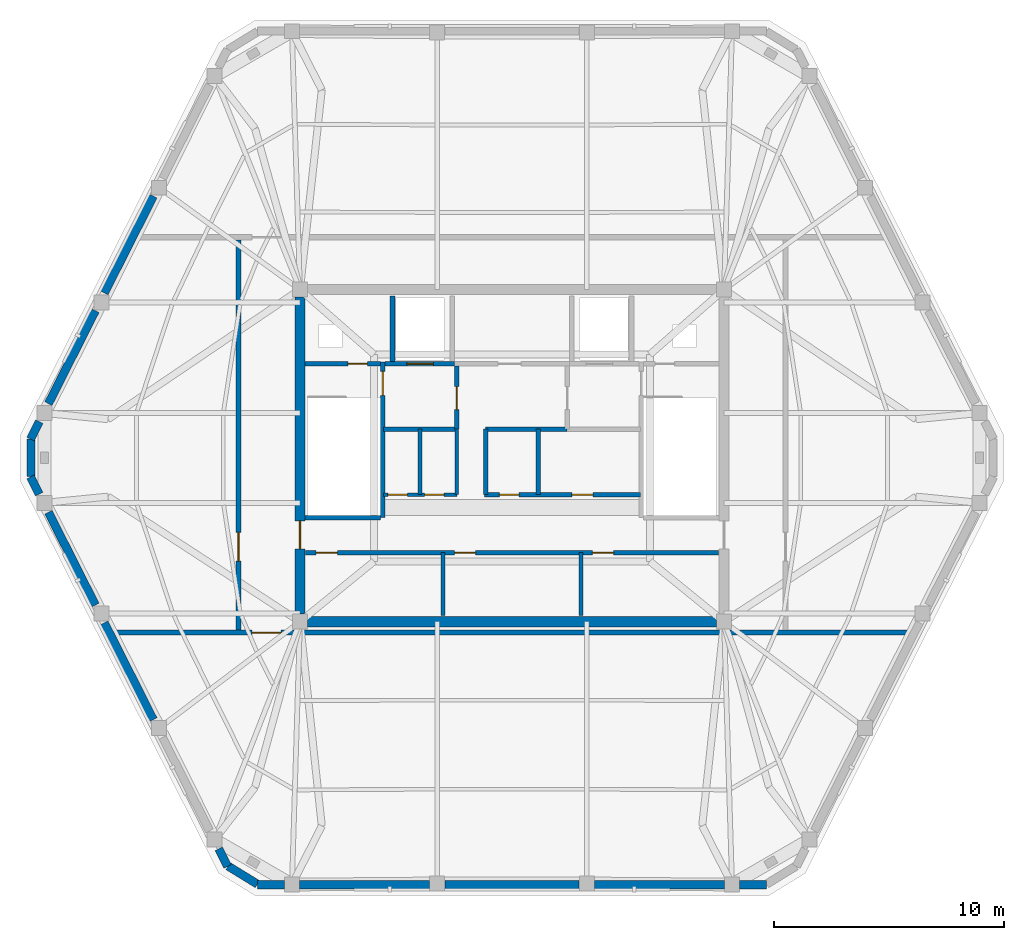
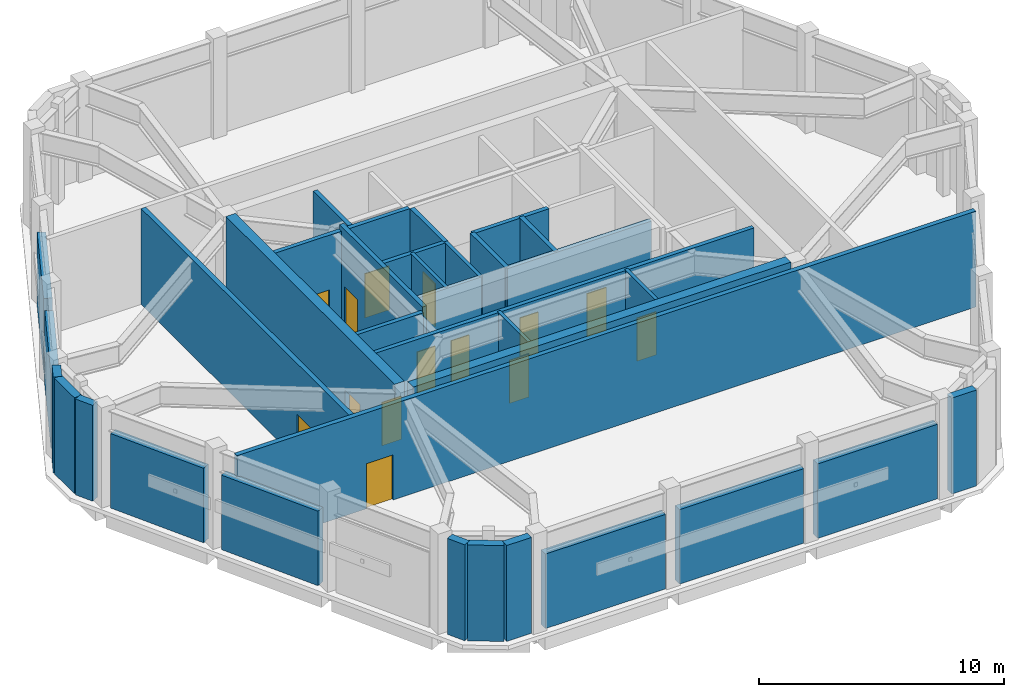
# One storey, part 4 of 6: 35 walls, 14 doors, 14 openings.
"""IFC4 building model written with IfcOpenShell, lengths in metres."""

from ifc_helpers import new_model, si_unit, direction, frame, frame_2d, origin, place, context, subcontext, project, spatial, rectangle, extrude, material, layer, layer_set, type_object, element, fill, save


model = new_model("IFC4")

# Units and contexts
model_context = context("Model", 3, precision=1e-05, world=origin(), true_north=direction((0.0, 1.0)))
body_context = subcontext(model_context, "Body", "Model", "MODEL_VIEW")
ifc_project = project(units=[si_unit("LENGTHUNIT", "METRE"), si_unit("AREAUNIT", "SQUARE_METRE"), si_unit("VOLUMEUNIT", "CUBIC_METRE"), si_unit("PLANEANGLEUNIT", "RADIAN"), si_unit("MASSUNIT", "GRAM", prefix="KILO")], contexts=[model_context])

# Site, building, storey
site_placement = place(None, origin())
site = spatial("IfcSite", under=ifc_project, at=site_placement, CompositionType="ELEMENT")
building_placement = place(site_placement, origin())
building = spatial("IfcBuilding", under=site, at=building_placement, Name="Cinnabar Lancet Tower", CompositionType="ELEMENT")
storey_placement = place(building_placement, frame((0.0, 0.0, 300.5)))
storey = spatial("IfcBuildingStorey", under=building, at=storey_placement, Name="L79", CompositionType="ELEMENT", Elevation=300.5)

# Wall, openings, doors
ifc_material_1 = material(Name="Acoustic twin-stud gypsum partition", Category="gypsum")
ifc_layer_1 = layer(ifc_material_1, 0.159912109375)
ifc_layer_set_1 = layer_set([ifc_layer_1], Name="Acoustic twin-stud gypsum partition")
wall_type_1 = type_object("IfcWallType", Name="ARC-WL-CORR-160", PredefinedType="PARTITIONING", material=ifc_layer_set_1)
wall_1_placement = place(storey_placement, frame((26.800048828125, 24.199951171875, 0.0), z_axis=(0.0, 0.0, 1.0), x_axis=(1.0, 0.0, 0.0)))
wall_1 = element("IfcWall", 1, at=wall_1_placement, inside=storey, type_object=wall_type_1, Name="CW-REC5S-L79", PredefinedType="PARTITIONING", context=body_context, shape_type="SweptSolid", body=[
    extrude(rectangle(XDim=3.199951171875, YDim=0.159912109375, at=frame_2d((1.60009765625, 0.0))), origin(), (0.0, 0.0, 1.0), 4.780029296875),
])
opening_1_placement = place(wall_1_placement, frame((0.199951171875, 0.0, 0.0)))
opening_1 = element("IfcOpeningElement", 2, at=opening_1_placement, cuts=wall_1, Name="Opening PD-02", PredefinedType="OPENING", context=body_context, shape_type="SweptSolid", body=[
    extrude(rectangle(XDim=0.85009765625, YDim=2.050048828125, at=frame_2d((0.425048828125, 1.02490234375))), frame((0.0, 0.08984375, 0.0), z_axis=(0.0, -1.0, 0.0), x_axis=(1.0, 0.0, 0.0)), (0.0, 0.0, 1.0), 0.179931640625),
])
opening_2_placement = place(wall_1_placement, frame((1.800048828125, 0.0, 0.0)))
opening_2 = element("IfcOpeningElement", 3, at=opening_2_placement, cuts=wall_1, Name="Opening PD-02", PredefinedType="OPENING", context=body_context, shape_type="SweptSolid", body=[
    extrude(rectangle(XDim=0.85009765625, YDim=2.050048828125, at=frame_2d((0.425048828125, 1.02490234375))), frame((0.0, 0.08984375, 0.0), z_axis=(0.0, -1.0, 0.0), x_axis=(1.0, 0.0, 0.0)), (0.0, 0.0, 1.0), 0.179931640625),
])
ifc_material_2 = material(Name="Fire-rated steel riser access door", Category="steel")
door_type_1 = type_object("IfcDoorType", Name="ARC-DR-RISER", OperationType="NOTDEFINED", PredefinedType="DOOR", material=ifc_material_2)
door_1_placement = place(opening_1_placement, origin())
door_1 = element("IfcDoor", 4, at=door_1_placement, inside=storey, type_object=door_type_1, Name="DR-L79-REC5A", OperationType="SINGLE_SWING_LEFT", OverallHeight=2.050048828125, OverallWidth=0.85009765625, PredefinedType="DOOR", context=body_context, shape_type="SweptSolid", body=[
    extrude(rectangle(XDim=0.85009765625, YDim=2.050048828125, at=frame_2d((0.425048828125, 1.02490234375))), frame((0.0, 0.02490234375, 0.0), z_axis=(0.0, -1.0, 0.0), x_axis=(1.0, 0.0, 0.0)), (0.0, 0.0, 1.0), 0.050048828125),
])
fill(opening_1, door_1)
door_2_placement = place(opening_2_placement, origin())
door_2 = element("IfcDoor", 5, at=door_2_placement, inside=storey, type_object=door_type_1, Name="DR-L79-REC5B", OperationType="SINGLE_SWING_RIGHT", OverallHeight=2.050048828125, OverallWidth=0.85009765625, PredefinedType="DOOR", context=body_context, shape_type="SweptSolid", body=[
    extrude(rectangle(XDim=0.85009765625, YDim=2.050048828125, at=frame_2d((0.425048828125, 1.02490234375))), frame((0.0, 0.02490234375, 0.0), z_axis=(0.0, -1.0, 0.0), x_axis=(1.0, 0.0, 0.0)), (0.0, 0.0, 1.0), 0.050048828125),
])
fill(opening_2, door_2)

# Walls
for number, where, z_axis, x_axis, name in (
    (6, (30.0, 24.199951171875, 0.0), (0.0, 0.0, 1.0), (0.0, 1.0, 0.0), "CW-REC5E-L79"),
    (7, (28.39990234375, 24.199951171875, 0.0), (0.0, 0.0, 1.0), (0.0, 1.0, 0.0), "CW-REC5D-L79"),
):
    element("IfcWall", number, at=place(storey_placement, frame(where, z_axis=z_axis, x_axis=x_axis)), inside=storey, type_object=wall_type_1, Name=name, PredefinedType="PARTITIONING", context=body_context, shape_type="SweptSolid", body=[
        extrude(rectangle(XDim=2.85009765625, YDim=0.159912109375, at=frame_2d((1.425048828125, 0.0))), origin(), (0.0, 0.0, 1.0), 4.780029296875),
    ])
for number, where, z_axis, x_axis, name in (
    (8, (29.39990234375, 18.949951171875, 0.0), (0.0, 0.0, 1.0), (0.0, 1.0, 0.0), "CW-SB-2940-L79"),
    (9, (35.39990234375, 18.949951171875, 0.0), (0.0, 0.0, 1.0), (0.0, 1.0, 0.0), "CW-SB-3540-L79"),
):
    element("IfcWall", number, at=place(storey_placement, frame(where, z_axis=z_axis, x_axis=x_axis)), inside=storey, type_object=wall_type_1, Name=name, PredefinedType="PARTITIONING", context=body_context, shape_type="SweptSolid", body=[
        extrude(rectangle(XDim=2.72998046875, YDim=0.159912109375, at=frame_2d((1.364990234375, 0.0))), origin(), (0.0, 0.0, 1.0), 4.780029296875),
    ])

# Wall, opening, door
ifc_material_3 = material(Name="Acoustic masonry plant room wall", Category="masonry")
ifc_layer_2 = layer(ifc_material_3, 0.219970703125)
ifc_layer_set_2 = layer_set([ifc_layer_2], Name="Acoustic masonry plant room wall")
wall_type_2 = type_object("IfcWallType", Name="ARC-WL-PLANT-220", PredefinedType="PARTITIONING", material=ifc_layer_set_2)
wall_2_placement = place(storey_placement, frame((14.989013671875, 18.199951171875, 0.0), z_axis=(0.0, 0.0, 1.0), x_axis=(1.0, 0.0, 0.0)))
wall_2 = element("IfcWall", 10, at=wall_2_placement, inside=storey, type_object=wall_type_2, Name="PW-L79-PS", PredefinedType="PARTITIONING", context=body_context, shape_type="SweptSolid", body=[
    extrude(rectangle(XDim=34.822021484375, YDim=0.219970703125, at=frame_2d((17.4111328125, 0.0))), origin(), (0.0, 0.0, 1.0), 4.780029296875),
])
opening_3_placement = place(wall_2_placement, frame((6.111083984375, 0.0, 0.0)))
opening_3 = element("IfcOpeningElement", 11, at=opening_3_placement, cuts=wall_2, Name="Opening PD-01", PredefinedType="OPENING", context=body_context, shape_type="SweptSolid", body=[
    extrude(rectangle(XDim=1.25, YDim=2.25, at=frame_2d((0.625, 1.125))), frame((0.0, 0.119873046875, 0.0), z_axis=(0.0, -1.0, 0.0), x_axis=(1.0, 0.0, 0.0)), (0.0, 0.0, 1.0), 0.239990234375),
])
ifc_material_4 = material(Name="Louvred fire-rated steel plant room double door", Category="steel")
door_type_2 = type_object("IfcDoorType", Name="ARC-DR-PLANT", OperationType="NOTDEFINED", PredefinedType="DOOR", material=ifc_material_4)
door_3_placement = place(opening_3_placement, origin())
door_3 = element("IfcDoor", 12, at=door_3_placement, inside=storey, type_object=door_type_2, Name="DR-L79-PLS", OperationType="SINGLE_SWING_LEFT", OverallHeight=2.25, OverallWidth=1.25, PredefinedType="DOOR", context=body_context, shape_type="SweptSolid", body=[
    extrude(rectangle(XDim=1.25, YDim=2.25, at=frame_2d((0.625, 1.125))), frame((0.0, 0.02490234375, 0.0), z_axis=(0.0, -1.0, 0.0), x_axis=(1.0, 0.0, 0.0)), (0.0, 0.0, 1.0), 0.050048828125),
])
fill(opening_3, door_3)

wall_3_placement = place(storey_placement, frame((20.5, 18.31494140625, 0.0), z_axis=(0.0, 0.0, 1.0), x_axis=(0.0, 1.0, 0.0)))
wall_3 = element("IfcWall", 13, at=wall_3_placement, inside=storey, type_object=wall_type_2, Name="PW-L79-PW", PredefinedType="PARTITIONING", context=body_context, shape_type="SweptSolid", body=[
    extrude(rectangle(XDim=16.969970703125, YDim=0.219970703125, at=frame_2d((8.48486328125, 0.0))), origin(), (0.0, 0.0, 1.0), 4.780029296875),
])
opening_4_placement = place(wall_3_placement, frame((3.0, 0.0, 0.0)))
opening_4 = element("IfcOpeningElement", 14, at=opening_4_placement, cuts=wall_3, Name="Opening PD-01", PredefinedType="OPENING", context=body_context, shape_type="SweptSolid", body=[
    extrude(rectangle(XDim=1.25, YDim=2.25, at=frame_2d((0.625, 1.125))), frame((0.0, 0.119873046875, 0.0), z_axis=(0.0, -1.0, 0.0), x_axis=(1.0, 0.0, 0.0)), (0.0, 0.0, 1.0), 0.239990234375),
])
door_4_placement = place(opening_4_placement, origin())
door_4 = element("IfcDoor", 15, at=door_4_placement, inside=storey, type_object=door_type_2, Name="DR-L79-PLW", OperationType="SINGLE_SWING_LEFT", OverallHeight=2.25, OverallWidth=1.25, PredefinedType="DOOR", context=body_context, shape_type="SweptSolid", body=[
    extrude(rectangle(XDim=1.25, YDim=2.25, at=frame_2d((0.625, 1.125))), frame((0.0, 0.02490234375, 0.0), z_axis=(0.0, -1.0, 0.0), x_axis=(1.0, 0.0, 0.0)), (0.0, 0.0, 1.0), 0.050048828125),
])
fill(opening_4, door_4)

# Wall
ifc_material_5 = material(Name="Autoclaved aerated concrete blockwork", Category="masonry")
ifc_layer_3 = layer(ifc_material_5, 0.199951171875)
ifc_layer_set_3 = layer_set([ifc_layer_3], Name="Autoclaved aerated concrete blockwork")
wall_type_3 = type_object("IfcWallType", Name="ARC-WL-SHAFT-200", PredefinedType="PLUMBINGWALL", material=ifc_layer_set_3)
wall_4_placement = place(storey_placement, frame((23.405029296875, 23.199951171875, 0.0), z_axis=(0.0, 0.0, 1.0), x_axis=(1.0, 0.0, 0.0)))
element("IfcWall", 16, at=wall_4_placement, inside=storey, type_object=wall_type_3, Name="CW-ST1S-L79", PredefinedType="PLUMBINGWALL", context=body_context, shape_type="SweptSolid", body=[
    extrude(rectangle(XDim=3.27001953125, YDim=0.199951171875, at=frame_2d((1.635009765625, 0.0))), origin(), (0.0, 0.0, 1.0), 4.780029296875),
])

# Wall, opening, door
wall_5_placement = place(storey_placement, frame((23.405029296875, 29.89990234375, 0.0), z_axis=(0.0, 0.0, 1.0), x_axis=(1.0, 0.0, 0.0)))
wall_5 = element("IfcWall", 17, at=wall_5_placement, inside=storey, type_object=wall_type_3, Name="CW-NSH-W-L79", PredefinedType="PLUMBINGWALL", context=body_context, shape_type="SweptSolid", body=[
    extrude(rectangle(XDim=3.27001953125, YDim=0.199951171875, at=frame_2d((1.635009765625, 0.0))), origin(), (0.0, 0.0, 1.0), 4.780029296875),
])
opening_5_placement = place(wall_5_placement, frame((1.85009765625, 0.0, 0.0)))
opening_5 = element("IfcOpeningElement", 18, at=opening_5_placement, cuts=wall_5, Name="Opening PD-02", PredefinedType="OPENING", context=body_context, shape_type="SweptSolid", body=[
    extrude(rectangle(XDim=0.85009765625, YDim=2.050048828125, at=frame_2d((0.425048828125, 1.02490234375))), frame((0.0, 0.10986328125, 0.0), z_axis=(0.0, -1.0, 0.0), x_axis=(1.0, 0.0, 0.0)), (0.0, 0.0, 1.0), 0.219970703125),
])
door_5_placement = place(opening_5_placement, origin())
door_5 = element("IfcDoor", 19, at=door_5_placement, inside=storey, type_object=door_type_1, Name="L79 West Riser Access Door", OperationType="SINGLE_SWING_LEFT", OverallHeight=2.050048828125, OverallWidth=0.85009765625, PredefinedType="DOOR", context=body_context, shape_type="SweptSolid", body=[
    extrude(rectangle(XDim=0.85009765625, YDim=2.050048828125, at=frame_2d((0.425048828125, 1.02490234375))), frame((0.0, 0.02490234375, 0.0), z_axis=(0.0, -1.0, 0.0), x_axis=(1.0, 0.0, 0.0)), (0.0, 0.0, 1.0), 0.050048828125),
])
fill(opening_5, door_5)

wall_6_placement = place(storey_placement, frame((26.885009765625, 29.89990234375, 0.0), z_axis=(0.0, 0.0, 1.0), x_axis=(1.0, 0.0, 0.0)))
wall_6 = element("IfcWall", 20, at=wall_6_placement, inside=storey, type_object=wall_type_3, Name="CW-FL1-L79", PredefinedType="PLUMBINGWALL", context=body_context, shape_type="SweptSolid", body=[
    extrude(rectangle(XDim=3.014892578125, YDim=0.199951171875, at=frame_2d((1.50732421875, 0.0))), origin(), (0.0, 0.0, 1.0), 4.780029296875),
])
opening_6_placement = place(wall_6_placement, frame((0.93994140625, 0.0, 0.0)))
opening_6 = element("IfcOpeningElement", 21, at=opening_6_placement, cuts=wall_6, Name="Opening LD-02", PredefinedType="OPENING", context=body_context, shape_type="SweptSolid", body=[
    extrude(rectangle(XDim=1.14990234375, YDim=2.199951171875, at=frame_2d((0.574951171875, 1.10009765625))), frame((0.0, 0.10986328125, 0.0), z_axis=(0.0, -1.0, 0.0), x_axis=(1.0, 0.0, 0.0)), (0.0, 0.0, 1.0), 0.219970703125),
])
ifc_material_6 = material(Name="Fire-rated stainless steel firefighting lift landing door", Category="steel")
door_type_3 = type_object("IfcDoorType", Name="ARC-DR-LD-FIRE", OperationType="NOTDEFINED", PredefinedType="DOOR", material=ifc_material_6)
door_6_placement = place(opening_6_placement, origin())
door_6 = element("IfcDoor", 22, at=door_6_placement, inside=storey, type_object=door_type_3, Name="L79 Firefighting Lift FL-1 Landing Door", OperationType="DOUBLE_DOOR_SLIDING", OverallHeight=2.199951171875, OverallWidth=1.14990234375, PredefinedType="DOOR", context=body_context, shape_type="SweptSolid", body=[
    extrude(rectangle(XDim=1.14990234375, YDim=2.199951171875, at=frame_2d((0.574951171875, 1.10009765625))), frame((0.0, 0.02490234375, 0.0), z_axis=(0.0, -1.0, 0.0), x_axis=(1.0, 0.0, 0.0)), (0.0, 0.0, 1.0), 0.050048828125),
])
fill(opening_6, door_6)

# Wall
wall_7_placement = place(storey_placement, frame((27.199951171875, 30.0, 0.0), z_axis=(0.0, 0.0, 1.0), x_axis=(0.0, 1.0, 0.0)))
element("IfcWall", 23, at=wall_7_placement, inside=storey, type_object=wall_type_3, Name="CW-NSH-D1-L79", PredefinedType="PLUMBINGWALL", context=body_context, shape_type="SweptSolid", body=[
    extrude(rectangle(XDim=2.85009765625, YDim=0.199951171875, at=frame_2d((1.425048828125, 0.0))), origin(), (0.0, 0.0, 1.0), 4.780029296875),
])

# Wall, opening, door
wall_8_placement = place(storey_placement, frame((30.0, 27.050048828125, 0.0), z_axis=(0.0, 0.0, 1.0), x_axis=(0.0, 1.0, 0.0)))
wall_8 = element("IfcWall", 24, at=wall_8_placement, inside=storey, type_object=wall_type_3, Name="CW-FF1E-L79", PredefinedType="PLUMBINGWALL", context=body_context, shape_type="SweptSolid", body=[
    extrude(rectangle(XDim=2.75, YDim=0.199951171875, at=frame_2d((1.375, 0.0))), origin(), (0.0, 0.0, 1.0), 4.780029296875),
])
opening_7_placement = place(wall_8_placement, frame((0.85009765625, 0.0, 0.0)))
opening_7 = element("IfcOpeningElement", 25, at=opening_7_placement, cuts=wall_8, Name="Opening FD-01", PredefinedType="OPENING", context=body_context, shape_type="SweptSolid", body=[
    extrude(rectangle(XDim=1.0, YDim=2.14990234375, at=frame_2d((0.5, 1.074951171875))), frame((0.0, 0.10986328125, 0.0), z_axis=(0.0, -1.0, 0.0), x_axis=(1.0, 0.0, 0.0)), (0.0, 0.0, 1.0), 0.219970703125),
])
ifc_material_7 = material(Name="Fire-rated timber-core lobby door", Category="wood")
door_type_4 = type_object("IfcDoorType", Name="ARC-DR-FFAL", OperationType="NOTDEFINED", PredefinedType="DOOR", material=ifc_material_7)
door_7_placement = place(opening_7_placement, origin())
door_7 = element("IfcDoor", 26, at=door_7_placement, inside=storey, type_object=door_type_4, Name="L79 FFAL-1 Lobby Fire Door", OperationType="SINGLE_SWING_RIGHT", OverallHeight=2.14990234375, OverallWidth=1.0, PredefinedType="DOOR", context=body_context, shape_type="SweptSolid", body=[
    extrude(rectangle(XDim=1.0, YDim=2.14990234375, at=frame_2d((0.5, 1.074951171875))), frame((0.0, 0.02490234375, 0.0), z_axis=(0.0, -1.0, 0.0), x_axis=(1.0, 0.0, 0.0)), (0.0, 0.0, 1.0), 0.050048828125),
])
fill(opening_7, door_7)

# Wall
wall_9_placement = place(storey_placement, frame((26.800048828125, 27.050048828125, 0.0), z_axis=(0.0, 0.0, 1.0), x_axis=(1.0, 0.0, 0.0)))
element("IfcWall", 27, at=wall_9_placement, inside=storey, type_object=wall_type_3, Name="CW-FF1S-L79", PredefinedType="PLUMBINGWALL", context=body_context, shape_type="SweptSolid", body=[
    extrude(rectangle(XDim=3.199951171875, YDim=0.199951171875, at=frame_2d((1.60009765625, 0.0))), origin(), (0.0, 0.0, 1.0), 4.780029296875),
])

# Wall, openings, doors
wall_10_placement = place(storey_placement, frame((31.199951171875, 24.199951171875, 0.0), z_axis=(0.0, 0.0, 1.0), x_axis=(1.0, 0.0, 0.0)))
wall_10 = element("IfcWall", 28, at=wall_10_placement, inside=storey, type_object=wall_type_3, Name="CW-PL96S-L79", PredefinedType="PLUMBINGWALL", context=body_context, shape_type="SweptSolid", body=[
    extrude(rectangle(XDim=6.800048828125, YDim=0.199951171875, at=frame_2d((3.39990234375, 0.0))), origin(), (0.0, 0.0, 1.0), 4.780029296875),
])
opening_8_placement = place(wall_10_placement, frame((0.64990234375, 0.0, 0.0)))
opening_8 = element("IfcOpeningElement", 29, at=opening_8_placement, cuts=wall_10, Name="Opening PD-02", PredefinedType="OPENING", context=body_context, shape_type="SweptSolid", body=[
    extrude(rectangle(XDim=0.85009765625, YDim=2.050048828125, at=frame_2d((0.425048828125, 1.02490234375))), frame((0.0, 0.10986328125, 0.0), z_axis=(0.0, -1.0, 0.0), x_axis=(1.0, 0.0, 0.0)), (0.0, 0.0, 1.0), 0.219970703125),
])
opening_9_placement = place(wall_10_placement, frame((3.800048828125, 0.0, 0.0)))
opening_9 = element("IfcOpeningElement", 30, at=opening_9_placement, cuts=wall_10, Name="Opening RD-01", PredefinedType="OPENING", context=body_context, shape_type="SweptSolid", body=[
    extrude(rectangle(XDim=0.919921875, YDim=2.14990234375, at=frame_2d((0.4599609375, 1.074951171875))), frame((0.0, 0.10986328125, 0.0), z_axis=(0.0, -1.0, 0.0), x_axis=(1.0, 0.0, 0.0)), (0.0, 0.0, 1.0), 0.219970703125),
])
door_8_placement = place(opening_8_placement, origin())
door_8 = element("IfcDoor", 31, at=door_8_placement, inside=storey, type_object=door_type_1, Name="DR-L79-LMR9", OperationType="SINGLE_SWING_LEFT", OverallHeight=2.050048828125, OverallWidth=0.85009765625, PredefinedType="DOOR", context=body_context, shape_type="SweptSolid", body=[
    extrude(rectangle(XDim=0.85009765625, YDim=2.050048828125, at=frame_2d((0.425048828125, 1.02490234375))), frame((0.0, 0.02490234375, 0.0), z_axis=(0.0, -1.0, 0.0), x_axis=(1.0, 0.0, 0.0)), (0.0, 0.0, 1.0), 0.050048828125),
])
fill(opening_8, door_8)
ifc_material_8 = material(Name="Engineered timber bedroom door", Category="wood")
door_type_5 = type_object("IfcDoorType", Name="ARC-DR-ROOM", OperationType="NOTDEFINED", PredefinedType="DOOR", material=ifc_material_8)
door_9_placement = place(opening_9_placement, origin())
door_9 = element("IfcDoor", 32, at=door_9_placement, inside=storey, type_object=door_type_5, Name="DR-L79-REC6", OperationType="SINGLE_SWING_RIGHT", OverallHeight=2.14990234375, OverallWidth=0.919921875, PredefinedType="DOOR", context=body_context, shape_type="SweptSolid", body=[
    extrude(rectangle(XDim=0.919921875, YDim=2.14990234375, at=frame_2d((0.4599609375, 1.074951171875))), frame((0.0, 0.02490234375, 0.0), z_axis=(0.0, -1.0, 0.0), x_axis=(1.0, 0.0, 0.0)), (0.0, 0.0, 1.0), 0.050048828125),
])
fill(opening_9, door_9)

# Walls
for number, where, z_axis, x_axis, name in (
    (33, (31.25, 24.199951171875, 0.0), (0.0, 0.0, 1.0), (0.0, 1.0, 0.0), "CW-PL9W-L79"),
    (34, (33.550048828125, 24.199951171875, 0.0), (0.0, 0.0, 1.0), (0.0, 1.0, 0.0), "CW-PL9E-L79"),
):
    element("IfcWall", number, at=place(storey_placement, frame(where, z_axis=z_axis, x_axis=x_axis)), inside=storey, type_object=wall_type_3, Name=name, PredefinedType="PLUMBINGWALL", context=body_context, shape_type="SweptSolid", body=[
        extrude(rectangle(XDim=2.85009765625, YDim=0.199951171875, at=frame_2d((1.425048828125, 0.0))), origin(), (0.0, 0.0, 1.0), 4.780029296875),
    ])
wall_11_placement = place(storey_placement, frame((31.25, 27.050048828125, 0.0), z_axis=(0.0, 0.0, 1.0), x_axis=(1.0, 0.0, 0.0)))
element("IfcWall", 35, at=wall_11_placement, inside=storey, type_object=wall_type_3, Name="CW-PL96N-L79", PredefinedType="PLUMBINGWALL", context=body_context, shape_type="SweptSolid", body=[
    extrude(rectangle(XDim=3.550048828125, YDim=0.199951171875, at=frame_2d((1.77490234375, 0.0))), origin(), (0.0, 0.0, 1.0), 4.780029296875),
])

# Wall, openings, doors
wall_12_placement = place(storey_placement, frame((23.419921875, 21.679931640625, 0.0), z_axis=(0.0, 0.0, 1.0), x_axis=(1.0, 0.0, 0.0)))
wall_12 = element("IfcWall", 36, at=wall_12_placement, inside=storey, type_object=wall_type_3, Name="CW-SBANDN-L79", PredefinedType="PLUMBINGWALL", context=body_context, shape_type="SweptSolid", body=[
    extrude(rectangle(XDim=17.9599609375, YDim=0.199951171875, at=frame_2d((8.97998046875, 0.0))), origin(), (0.0, 0.0, 1.0), 4.780029296875),
])
opening_10_placement = place(wall_12_placement, frame((0.4599609375, 0.0, 0.0)))
opening_10 = element("IfcOpeningElement", 37, at=opening_10_placement, cuts=wall_12, Name="Opening RD-01", PredefinedType="OPENING", context=body_context, shape_type="SweptSolid", body=[
    extrude(rectangle(XDim=0.919921875, YDim=2.14990234375, at=frame_2d((0.4599609375, 1.074951171875))), frame((0.0, 0.10986328125, 0.0), z_axis=(0.0, -1.0, 0.0), x_axis=(1.0, 0.0, 0.0)), (0.0, 0.0, 1.0), 0.219970703125),
])
opening_11_placement = place(wall_12_placement, frame((6.47998046875, 0.0, 0.0)))
opening_11 = element("IfcOpeningElement", 38, at=opening_11_placement, cuts=wall_12, Name="Opening RD-01", PredefinedType="OPENING", context=body_context, shape_type="SweptSolid", body=[
    extrude(rectangle(XDim=0.919921875, YDim=2.14990234375, at=frame_2d((0.4599609375, 1.074951171875))), frame((0.0, 0.10986328125, 0.0), z_axis=(0.0, -1.0, 0.0), x_axis=(1.0, 0.0, 0.0)), (0.0, 0.0, 1.0), 0.219970703125),
])
opening_12_placement = place(wall_12_placement, frame((12.47998046875, 0.0, 0.0)))
opening_12 = element("IfcOpeningElement", 39, at=opening_12_placement, cuts=wall_12, Name="Opening RD-01", PredefinedType="OPENING", context=body_context, shape_type="SweptSolid", body=[
    extrude(rectangle(XDim=0.919921875, YDim=2.14990234375, at=frame_2d((0.4599609375, 1.074951171875))), frame((0.0, 0.10986328125, 0.0), z_axis=(0.0, -1.0, 0.0), x_axis=(1.0, 0.0, 0.0)), (0.0, 0.0, 1.0), 0.219970703125),
])
door_10_placement = place(opening_10_placement, origin())
door_10 = element("IfcDoor", 40, at=door_10_placement, inside=storey, type_object=door_type_5, Name="DR-L79-HREC1", OperationType="SINGLE_SWING_LEFT", OverallHeight=2.14990234375, OverallWidth=0.919921875, PredefinedType="DOOR", context=body_context, shape_type="SweptSolid", body=[
    extrude(rectangle(XDim=0.919921875, YDim=2.14990234375, at=frame_2d((0.4599609375, 1.074951171875))), frame((0.0, 0.02490234375, 0.0), z_axis=(0.0, -1.0, 0.0), x_axis=(1.0, 0.0, 0.0)), (0.0, 0.0, 1.0), 0.050048828125),
])
fill(opening_10, door_10)
door_11_placement = place(opening_11_placement, origin())
door_11 = element("IfcDoor", 41, at=door_11_placement, inside=storey, type_object=door_type_5, Name="DR-L79-HREC2", OperationType="SINGLE_SWING_RIGHT", OverallHeight=2.14990234375, OverallWidth=0.919921875, PredefinedType="DOOR", context=body_context, shape_type="SweptSolid", body=[
    extrude(rectangle(XDim=0.919921875, YDim=2.14990234375, at=frame_2d((0.4599609375, 1.074951171875))), frame((0.0, 0.02490234375, 0.0), z_axis=(0.0, -1.0, 0.0), x_axis=(1.0, 0.0, 0.0)), (0.0, 0.0, 1.0), 0.050048828125),
])
fill(opening_11, door_11)
door_12_placement = place(opening_12_placement, origin())
door_12 = element("IfcDoor", 42, at=door_12_placement, inside=storey, type_object=door_type_5, Name="DR-L79-HREC3", OperationType="SINGLE_SWING_LEFT", OverallHeight=2.14990234375, OverallWidth=0.919921875, PredefinedType="DOOR", context=body_context, shape_type="SweptSolid", body=[
    extrude(rectangle(XDim=0.919921875, YDim=2.14990234375, at=frame_2d((0.4599609375, 1.074951171875))), frame((0.0, 0.02490234375, 0.0), z_axis=(0.0, -1.0, 0.0), x_axis=(1.0, 0.0, 0.0)), (0.0, 0.0, 1.0), 0.050048828125),
])
fill(opening_12, door_12)

# Walls
ifc_material_9 = material(Name="Dark charcoal engineering brick", Category="masonry")
ifc_layer_4 = layer(ifc_material_9, 0.360107421875)
ifc_layer_set_4 = layer_set([ifc_layer_4], Name="Dark charcoal engineering brick")
wall_type_4 = type_object("IfcWallType", Name="ENV-WL-BRK-CHR-360", PredefinedType="STANDARD", material=ifc_layer_set_4)
wall_13_placement = place(storey_placement, frame((20.049072265625, 8.04296875, 0.0), z_axis=(0.0, 0.0, 1.0), x_axis=(0.852199198594, -0.523217474781, 0.0)))
element("IfcWall", 43, at=wall_13_placement, inside=storey, type_object=wall_type_4, Name="L79 Chamfered Corner Brick Pier 1.1", PredefinedType="STANDARD", context=body_context, shape_type="SweptSolid", body=[
    extrude(rectangle(XDim=1.501953125, YDim=0.360107421875, at=frame_2d((0.7509765625, 0.0))), origin(), (0.0, 0.0, 1.0), 4.780029296875),
])
wall_14_placement = place(storey_placement, frame((11.47705078125, 26.616943359375, 0.0), z_axis=(0.0, 0.0, 1.0), x_axis=(0.0, -1.0, 0.0)))
element("IfcWall", 44, at=wall_14_placement, inside=storey, type_object=wall_type_4, Name="L79 Chamfered Corner Brick Pier 6.1", PredefinedType="STANDARD", context=body_context, shape_type="SweptSolid", body=[
    extrude(rectangle(XDim=1.634033203125, YDim=0.360107421875, at=frame_2d((0.81689453125, 0.0))), origin(), (0.0, 0.0, 1.0), 4.780029296875),
])
wall_15_placement = place(storey_placement, frame((21.322998046875, 7.22998046875, 0.0), z_axis=(0.0, 0.0, 1.0), x_axis=(1.0, 0.0, 0.0)))
element("IfcWall", 45, at=wall_15_placement, inside=storey, type_object=wall_type_4, Name="L79 Face 1 Masonry Bay Wall 1", PredefinedType="STANDARD", context=body_context, shape_type="SweptSolid", body=[
    extrude(rectangle(XDim=1.176025390625, YDim=0.360107421875, at=frame_2d((0.587890625, 0.0))), origin(), (0.0, 0.0, 1.0), 4.780029296875),
])
wall_16_placement = place(storey_placement, frame((23.156982421875, 7.22998046875, 0.0), z_axis=(0.0, 0.0, 1.0), x_axis=(1.0, 0.0, 0.0)))
element("IfcWall", 46, at=wall_16_placement, inside=storey, type_object=wall_type_4, Name="L79 Face 1 Masonry Bay Wall 2", PredefinedType="STANDARD", context=body_context, shape_type="SweptSolid", body=[
    extrude(rectangle(XDim=5.659912109375, YDim=0.360107421875, at=frame_2d((2.830078125, 0.0))), origin(), (0.0, 0.0, 1.0), 3.714111328125),
])
wall_17_placement = place(storey_placement, frame((29.47509765625, 7.22998046875, 0.0), z_axis=(0.0, 0.0, 1.0), x_axis=(1.0, 0.0, 0.0)))
element("IfcWall", 47, at=wall_17_placement, inside=storey, type_object=wall_type_4, Name="L79 Face 1 Masonry Bay Wall 3", PredefinedType="STANDARD", context=body_context, shape_type="SweptSolid", body=[
    extrude(rectangle(XDim=5.849853515625, YDim=0.360107421875, at=frame_2d((2.9248046875, 0.0))), origin(), (0.0, 0.0, 1.0), 3.714111328125),
])
wall_18_placement = place(storey_placement, frame((35.98291015625, 7.22998046875, 0.0), z_axis=(0.0, 0.0, 1.0), x_axis=(1.0, 0.0, 0.0)))
element("IfcWall", 48, at=wall_18_placement, inside=storey, type_object=wall_type_4, Name="L79 Face 1 Masonry Bay Wall 4", PredefinedType="STANDARD", context=body_context, shape_type="SweptSolid", body=[
    extrude(rectangle(XDim=5.66015625, YDim=0.360107421875, at=frame_2d((2.830078125, 0.0))), origin(), (0.0, 0.0, 1.0), 3.714111328125),
])
wall_19_placement = place(storey_placement, frame((42.301025390625, 7.22998046875, 0.0), z_axis=(0.0, 0.0, 1.0), x_axis=(1.0, 0.0, 0.0)))
element("IfcWall", 49, at=wall_19_placement, inside=storey, type_object=wall_type_4, Name="L79 Face 1 Masonry Bay Wall 5", PredefinedType="STANDARD", context=body_context, shape_type="SweptSolid", body=[
    extrude(rectangle(XDim=1.176025390625, YDim=0.360107421875, at=frame_2d((0.587890625, 0.0))), origin(), (0.0, 0.0, 1.0), 4.780029296875),
])
wall_20_placement = place(storey_placement, frame((16.798095703125, 37.18701171875, 0.0), z_axis=(0.0, 0.0, 1.0), x_axis=(-0.451472275188, -0.892285147661, 0.0)))
element("IfcWall", 50, at=wall_20_placement, inside=storey, type_object=wall_type_4, Name="L79 Face 5 Masonry Bay Wall 3", PredefinedType="STANDARD", context=body_context, shape_type="SweptSolid", body=[
    extrude(rectangle(XDim=4.71826171875, YDim=0.360107421875, at=frame_2d((2.359130859375, 0.0))), origin(), (0.0, 0.0, 1.0), 3.714111328125),
])
wall_21_placement = place(storey_placement, frame((14.277099609375, 32.202880859375, 0.0), z_axis=(0.0, 0.0, 1.0), x_axis=(-0.451329000676, -0.892357626262, 0.0)))
element("IfcWall", 51, at=wall_21_placement, inside=storey, type_object=wall_type_4, Name="L79 Face 5 Masonry Bay Wall 4", PredefinedType="STANDARD", context=body_context, shape_type="SweptSolid", body=[
    extrude(rectangle(XDim=4.527099609375, YDim=0.360107421875, at=frame_2d((2.263671875, 0.0))), origin(), (0.0, 0.0, 1.0), 3.714111328125),
])
for number, where, z_axis, x_axis, name in (
    (52, (11.8349609375, 27.3759765625, 0.0), (0.0, 0.0, 1.0), (-0.450919109914, -0.892564819111, 0.0), "L79 Face 5 Masonry Bay Wall 5"),
    (53, (11.455078125, 24.97607421875, 0.0), (0.0, 0.0, 1.0), (0.450919109914, -0.892564819111, 0.0), "L79 Face 6 Masonry Bay Wall 1"),
):
    element("IfcWall", number, at=place(storey_placement, frame(where, z_axis=z_axis, x_axis=x_axis)), inside=storey, type_object=wall_type_4, Name=name, PredefinedType="STANDARD", context=body_context, shape_type="SweptSolid", body=[
        extrude(rectangle(XDim=0.842529296875, YDim=0.360107421875, at=frame_2d((0.42138671875, 0.0))), origin(), (0.0, 0.0, 1.0), 4.780029296875),
    ])
wall_22_placement = place(storey_placement, frame((12.23388671875, 23.43701171875, 0.0), z_axis=(0.0, 0.0, 1.0), x_axis=(0.451307281986, -0.892368610624, 0.0)))
element("IfcWall", 54, at=wall_22_placement, inside=storey, type_object=wall_type_4, Name="L79 Face 6 Masonry Bay Wall 2", PredefinedType="STANDARD", context=body_context, shape_type="SweptSolid", body=[
    extrude(rectangle(XDim=4.52734375, YDim=0.360107421875, at=frame_2d((2.263671875, 0.0))), origin(), (0.0, 0.0, 1.0), 3.714111328125),
])
wall_23_placement = place(storey_placement, frame((14.66796875, 18.623046875, 0.0), z_axis=(0.0, 0.0, 1.0), x_axis=(0.451472275188, -0.892285147661, 0.0)))
element("IfcWall", 55, at=wall_23_placement, inside=storey, type_object=wall_type_4, Name="L79 Face 6 Masonry Bay Wall 3", PredefinedType="STANDARD", context=body_context, shape_type="SweptSolid", body=[
    extrude(rectangle(XDim=4.71826171875, YDim=0.360107421875, at=frame_2d((2.359130859375, 0.0))), origin(), (0.0, 0.0, 1.0), 3.714111328125),
])
wall_24_placement = place(storey_placement, frame((19.64208984375, 8.7890625, 0.0), z_axis=(0.0, 0.0, 1.0), x_axis=(0.451319562919, -0.892362399548, 0.0)))
element("IfcWall", 56, at=wall_24_placement, inside=storey, type_object=wall_type_4, Name="L79 Face 6 Masonry Bay Wall 5", PredefinedType="STANDARD", context=body_context, shape_type="SweptSolid", body=[
    extrude(rectangle(XDim=0.855224609375, YDim=0.360107421875, at=frame_2d((0.427734375, 0.0))), origin(), (0.0, 0.0, 1.0), 4.780029296875),
])
ifc_material_10 = material(Name="Concrete C50/60", Category="concrete")
ifc_layer_5 = layer(ifc_material_10, 0.449951171875)
ifc_layer_set_5 = layer_set([ifc_layer_5], Name="Concrete C50/60")
wall_type_5 = type_object("IfcWallType", Name="STR-WL-CORE-450", PredefinedType="SHEAR", material=ifc_layer_set_5)
wall_25_placement = place(storey_placement, frame((23.5, 18.675048828125, 0.0), z_axis=(0.0, 0.0, 1.0), x_axis=(1.0, 0.0, 0.0)))
element("IfcWall", 57, at=wall_25_placement, inside=storey, type_object=wall_type_5, Name="L79 Core Shear Wall S", PredefinedType="SHEAR", context=body_context, shape_type="SweptSolid", body=[
    extrude(rectangle(XDim=17.800048828125, YDim=0.449951171875, at=frame_2d((8.89990234375, 0.0))), origin(), (0.0, 0.0, 1.0), 5.0),
])

# Wall, opening, door
wall_26_placement = place(storey_placement, frame((23.175048828125, 19.0, 0.0), z_axis=(0.0, 0.0, 1.0), x_axis=(0.0, 1.0, 0.0)))
wall_26 = element("IfcWall", 58, at=wall_26_placement, inside=storey, type_object=wall_type_5, Name="L79 Core Shear Wall W", PredefinedType="SHEAR", context=body_context, shape_type="SweptSolid", body=[
    extrude(rectangle(XDim=13.800048828125, YDim=0.449951171875, at=frame_2d((6.89990234375, 0.0))), origin(), (0.0, 0.0, 1.0), 5.0),
])
opening_13_placement = place(wall_26_placement, frame((2.840087890625, 0.0, 0.0)))
opening_13 = element("IfcOpeningElement", 59, at=opening_13_placement, cuts=wall_26, Name="Opening FD-02", PredefinedType="OPENING", context=body_context, shape_type="SweptSolid", body=[
    extrude(rectangle(XDim=1.219970703125, YDim=2.25, at=frame_2d((0.60986328125, 1.125))), frame((0.0, 0.23486328125, 0.0), z_axis=(0.0, -1.0, 0.0), x_axis=(1.0, 0.0, 0.0)), (0.0, 0.0, 1.0), 0.469970703125),
])
ifc_material_11 = material(Name="Fire-rated double-vision core portal door", Category="wood")
door_type_6 = type_object("IfcDoorType", Name="ARC-DR-CPORT", OperationType="NOTDEFINED", PredefinedType="DOOR", material=ifc_material_11)
door_13_placement = place(opening_13_placement, origin())
door_13 = element("IfcDoor", 60, at=door_13_placement, inside=storey, type_object=door_type_6, Name="L79 West Core Lobby Fire Door", OperationType="SINGLE_SWING_RIGHT", OverallHeight=2.25, OverallWidth=1.219970703125, PredefinedType="DOOR", context=body_context, shape_type="SweptSolid", body=[
    extrude(rectangle(XDim=1.219970703125, YDim=2.25, at=frame_2d((0.60986328125, 1.125))), frame((0.0, 0.02490234375, 0.0), z_axis=(0.0, -1.0, 0.0), x_axis=(1.0, 0.0, 0.0)), (0.0, 0.0, 1.0), 0.050048828125),
])
fill(opening_13, door_13)

ifc_material_12 = material(Name="Concrete C50/60", Category="concrete")
ifc_layer_6 = layer(ifc_material_12, 0.199951171875)
ifc_layer_set_6 = layer_set([ifc_layer_6], Name="Concrete C50/60")
wall_type_6 = type_object("IfcWallType", Name="STR-WL-STAIR-200", PredefinedType="SHEAR", material=ifc_layer_set_6)
wall_27_placement = place(storey_placement, frame((26.780029296875, 23.199951171875, 0.0), z_axis=(0.0, 0.0, 1.0), x_axis=(0.0, 1.0, 0.0)))
wall_27 = element("IfcWall", 61, at=wall_27_placement, inside=storey, type_object=wall_type_6, Name="L79 Stair ST-1 Structural Enclosure Wall", PredefinedType="SHEAR", context=body_context, shape_type="SweptSolid", body=[
    extrude(rectangle(XDim=6.780029296875, YDim=0.199951171875, at=frame_2d((3.39013671875, 0.0))), origin(), (0.0, 0.0, 1.0), 5.0),
])
opening_14_placement = place(wall_27_placement, frame((5.320068359375, 0.0, 0.0)))
opening_14 = element("IfcOpeningElement", 62, at=opening_14_placement, cuts=wall_27, Name="Opening SD-01", PredefinedType="OPENING", context=body_context, shape_type="SweptSolid", body=[
    extrude(rectangle(XDim=1.050048828125, YDim=2.14990234375, at=frame_2d((0.52490234375, 1.074951171875))), frame((0.0, 0.10986328125, 0.0), z_axis=(0.0, -1.0, 0.0), x_axis=(1.0, 0.0, 0.0)), (0.0, 0.0, 1.0), 0.219970703125),
])
ifc_material_13 = material(Name="Fire-rated steel stair exit door", Category="steel")
door_type_7 = type_object("IfcDoorType", Name="ARC-DR-STAIR", OperationType="NOTDEFINED", PredefinedType="DOOR", material=ifc_material_13)
door_14_placement = place(opening_14_placement, origin())
door_14 = element("IfcDoor", 63, at=door_14_placement, inside=storey, type_object=door_type_7, Name="L79 Stair ST-1 Fire Door", OperationType="SINGLE_SWING_LEFT", OverallHeight=2.14990234375, OverallWidth=1.050048828125, PredefinedType="DOOR", context=body_context, shape_type="SweptSolid", body=[
    extrude(rectangle(XDim=1.050048828125, YDim=2.14990234375, at=frame_2d((0.52490234375, 1.074951171875))), frame((0.0, 0.02490234375, 0.0), z_axis=(0.0, -1.0, 0.0), x_axis=(1.0, 0.0, 0.0)), (0.0, 0.0, 1.0), 0.050048828125),
])
fill(opening_14, door_14)

save(model, "model.ifc")
